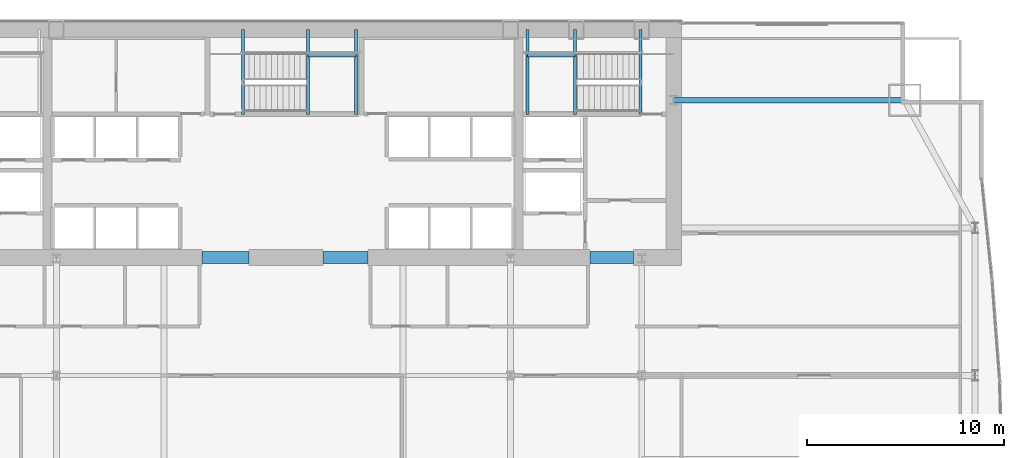
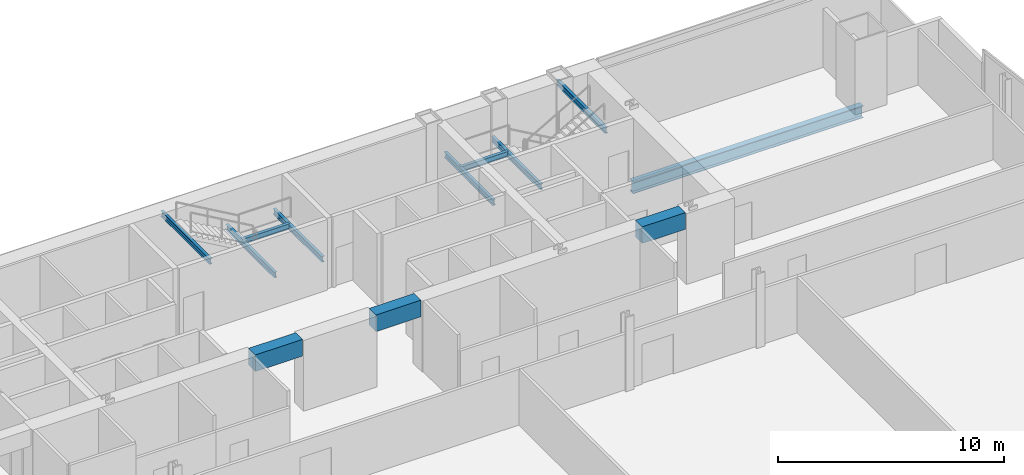
# One storey, part 19 of 32: 12 beams.
"""IFC4 building model written with IfcOpenShell, lengths in metres."""

from ifc_helpers import new_model, si_unit, direction, frame, origin, origin_2d, place, context, subcontext, project, spatial, rectangle, i_section, extrude, material, material_profile, profile_set, type_object, element, save


model = new_model("IFC4")

# Units and contexts
model_context = context("Model", 3, precision=1e-05, world=origin(), true_north=direction((0.0, 1.0)))
body_context = subcontext(model_context, "Body", "Model", "MODEL_VIEW")
ifc_project = project(units=[si_unit("LENGTHUNIT", "METRE"), si_unit("AREAUNIT", "SQUARE_METRE"), si_unit("VOLUMEUNIT", "CUBIC_METRE"), si_unit("PLANEANGLEUNIT", "RADIAN"), si_unit("MASSUNIT", "GRAM", prefix="KILO")], contexts=[model_context])

# Site, building, storey
site_placement = place(None, origin())
site = spatial("IfcSite", under=ifc_project, at=site_placement, CompositionType="ELEMENT")
building_placement = place(site_placement, origin())
building = spatial("IfcBuilding", under=site, at=building_placement, Name="Khoronbel Lancet Exchange", CompositionType="ELEMENT")
storey_placement = place(building_placement, frame((0.0, 0.0, 29.800048828125)))
storey = spatial("IfcBuildingStorey", under=building, at=storey_placement, Name="L06", CompositionType="ELEMENT", Elevation=29.800048828125)

# Beams
ifc_material_1 = material(Name="Steel S355", Category="steel")
ifc_material_profile_1 = material_profile(ifc_material_1, i_section(OverallWidth=0.14990234375, OverallDepth=0.300048828125, WebThickness=0.007080078125, FlangeThickness=0.0107421875, at=origin_2d()), Name="IPE 300")
ifc_profile_set_1 = profile_set([ifc_material_profile_1], Name="Steel S355")
beam_type_1 = type_object("IfcBeamType", Name="BM-BJ8", PredefinedType="JOIST", material=ifc_profile_set_1)
for number, where, z_axis, x_axis, name in (
    (1, (51.2900390625, 48.97998046875, 1.64990234375), (0.0, 1.0, 0.0), (-1.0, 0.0, 0.0), "Level L06 stair ST2 landing bearer beam 1"),
    (2, (48.8701171875, 48.97998046875, 1.64990234375), (0.0, 1.0, 0.0), (-1.0, 0.0, 0.0), "Level L06 stair ST2 rear landing bearer beam 1"),
):
    element("IfcBeam", number, at=place(storey_placement, frame(where, z_axis=z_axis, x_axis=x_axis)), inside=storey, type_object=beam_type_1, Name=name, PredefinedType="JOIST", context=body_context, shape_type="SweptSolid", body=[
        extrude(i_section(OverallWidth=0.14990234375, OverallDepth=0.300048828125, WebThickness=0.007080078125, FlangeThickness=0.0107421875, at=origin_2d()), origin(), (0.0, 0.0, 1.0), 4.320068359375),
    ])
beam_1_placement = place(storey_placement, frame((48.8701171875, 51.97998046875, 1.64990234375), z_axis=(1.0, 0.0, 0.0), x_axis=(0.0, 1.0, 0.0)))
element("IfcBeam", 3, at=beam_1_placement, inside=storey, type_object=beam_type_1, Name="Level L06 stair ST2 landing cross trimmer beam 1", PredefinedType="JOIST", context=body_context, shape_type="SweptSolid", body=[
    extrude(i_section(OverallWidth=0.14990234375, OverallDepth=0.300048828125, WebThickness=0.007080078125, FlangeThickness=0.0107421875, at=origin_2d()), origin(), (0.0, 0.0, 1.0), 2.419921875),
])
for number, where, z_axis, x_axis, name in (
    (4, (54.60009765625, 48.97998046875, 3.5400390625), (0.0, 1.0, 0.0), (-1.0, 0.0, 0.0), "Level L06 stair ST2 upper-flight arrival trimmer beam"),
    (5, (37.7099609375, 48.97998046875, 1.64990234375), (0.0, 1.0, 0.0), (-1.0, 0.0, 0.0), "Level L06 stair ST3 landing bearer beam 1"),
    (6, (40.1298828125, 48.97998046875, 1.64990234375), (0.0, 1.0, 0.0), (-1.0, 0.0, 0.0), "Level L06 stair ST3 rear landing bearer beam 1"),
):
    element("IfcBeam", number, at=place(storey_placement, frame(where, z_axis=z_axis, x_axis=x_axis)), inside=storey, type_object=beam_type_1, Name=name, PredefinedType="JOIST", context=body_context, shape_type="SweptSolid", body=[
        extrude(i_section(OverallWidth=0.14990234375, OverallDepth=0.300048828125, WebThickness=0.007080078125, FlangeThickness=0.0107421875, at=origin_2d()), origin(), (0.0, 0.0, 1.0), 4.320068359375),
    ])
beam_2_placement = place(storey_placement, frame((37.7099609375, 51.97998046875, 1.64990234375), z_axis=(1.0, 0.0, 0.0), x_axis=(0.0, 1.0, 0.0)))
element("IfcBeam", 7, at=beam_2_placement, inside=storey, type_object=beam_type_1, Name="Level L06 stair ST3 landing cross trimmer beam 1", PredefinedType="JOIST", context=body_context, shape_type="SweptSolid", body=[
    extrude(i_section(OverallWidth=0.14990234375, OverallDepth=0.300048828125, WebThickness=0.007080078125, FlangeThickness=0.0107421875, at=origin_2d()), origin(), (0.0, 0.0, 1.0), 2.419921875),
])
beam_3_placement = place(storey_placement, frame((34.39990234375, 48.97998046875, 3.5400390625), z_axis=(0.0, 1.0, 0.0), x_axis=(-1.0, 0.0, 0.0)))
element("IfcBeam", 8, at=beam_3_placement, inside=storey, type_object=beam_type_1, Name="Level L06 stair ST3 upper-flight arrival trimmer beam", PredefinedType="JOIST", context=body_context, shape_type="SweptSolid", body=[
    extrude(i_section(OverallWidth=0.14990234375, OverallDepth=0.300048828125, WebThickness=0.007080078125, FlangeThickness=0.0107421875, at=origin_2d()), origin(), (0.0, 0.0, 1.0), 4.320068359375),
])
ifc_material_2 = material(Name="Concrete C80/95", Category="concrete")
ifc_material_profile_2 = material_profile(ifc_material_2, rectangle(XDim=0.60009765625, YDim=0.89990234375, at=origin_2d()), Name="RC 600x900")
ifc_profile_set_2 = profile_set([ifc_material_profile_2], Name="Concrete C80/95")
beam_type_2 = type_object("IfcBeamType", Name="BM-BL1", PredefinedType="LINTEL", material=ifc_profile_set_2)
beam_4_placement = place(storey_placement, frame((32.300048828125, 41.699951171875, 3.369873046875), z_axis=(1.0, 0.0, 0.0), x_axis=(0.0, 1.0, 0.0)))
element("IfcBeam", 9, at=beam_4_placement, inside=storey, type_object=beam_type_2, Name="Level L06 rear core coupling lintel L2", PredefinedType="LINTEL", context=body_context, shape_type="SweptSolid", body=[
    extrude(rectangle(XDim=0.60009765625, YDim=0.89990234375, at=origin_2d()), origin(), (0.0, 0.0, 1.0), 2.39990234375),
])
beam_5_placement = place(storey_placement, frame((38.449951171875, 41.699951171875, 3.369873046875), z_axis=(1.0, 0.0, 0.0), x_axis=(0.0, 1.0, 0.0)))
element("IfcBeam", 10, at=beam_5_placement, inside=storey, type_object=beam_type_2, Name="Level L06 rear core coupling lintel L3", PredefinedType="LINTEL", context=body_context, shape_type="SweptSolid", body=[
    extrude(rectangle(XDim=0.60009765625, YDim=0.89990234375, at=origin_2d()), origin(), (0.0, 0.0, 1.0), 2.300048828125),
])
beam_6_placement = place(storey_placement, frame((52.050048828125, 41.699951171875, 3.369873046875), z_axis=(1.0, 0.0, 0.0), x_axis=(0.0, 1.0, 0.0)))
element("IfcBeam", 11, at=beam_6_placement, inside=storey, type_object=beam_type_2, Name="Level L06 rear core coupling lintel L4", PredefinedType="LINTEL", context=body_context, shape_type="SweptSolid", body=[
    extrude(rectangle(XDim=0.60009765625, YDim=0.89990234375, at=origin_2d()), origin(), (0.0, 0.0, 1.0), 2.199951171875),
])
ifc_material_profile_3 = material_profile(ifc_material_1, i_section(OverallWidth=0.300048828125, OverallDepth=0.64990234375, WebThickness=0.01611328125, FlangeThickness=0.031005859375, at=origin_2d()), Name="HEB 650")
ifc_profile_set_3 = profile_set([ifc_material_profile_3], Name="Steel S355")
beam_type_3 = type_object("IfcBeamType", Name="BM-BSP1", PredefinedType="SPANDREL", material=ifc_profile_set_3)
beam_7_placement = place(storey_placement, frame((68.050048828125, 49.699951171875, -0.505126953125), z_axis=(-1.0, 0.0, 0.0), x_axis=(0.0, -1.0, 0.0)))
element("IfcBeam", 12, at=beam_7_placement, inside=storey, type_object=beam_type_3, Name="Level L06 north flank tie spandrel SP23", PredefinedType="SPANDREL", context=body_context, shape_type="SweptSolid", body=[
    extrude(i_section(OverallWidth=0.300048828125, OverallDepth=0.64990234375, WebThickness=0.01611328125, FlangeThickness=0.031005859375, at=origin_2d()), origin(), (0.0, 0.0, 1.0), 11.75),
])

save(model, "model.ifc")
